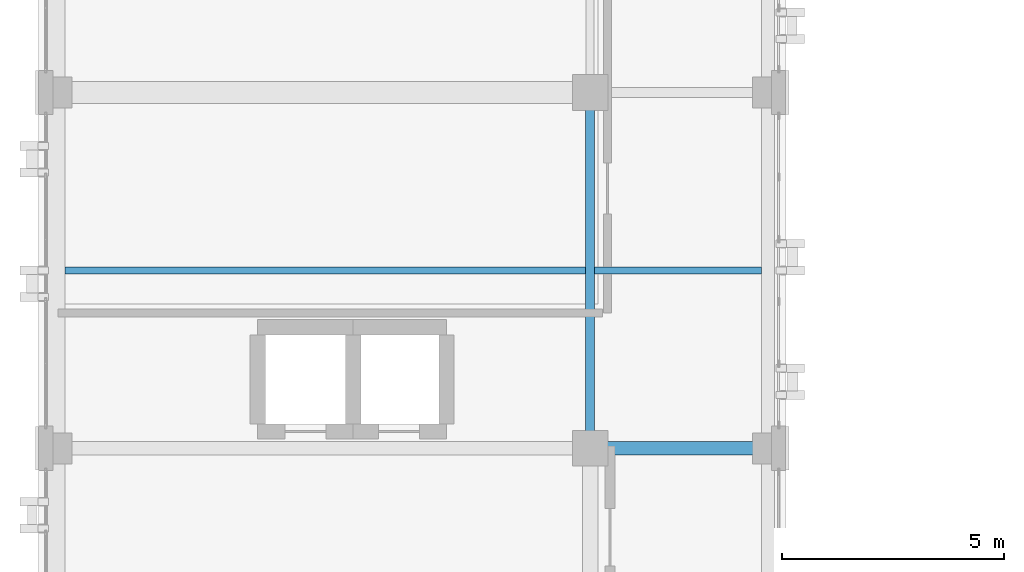
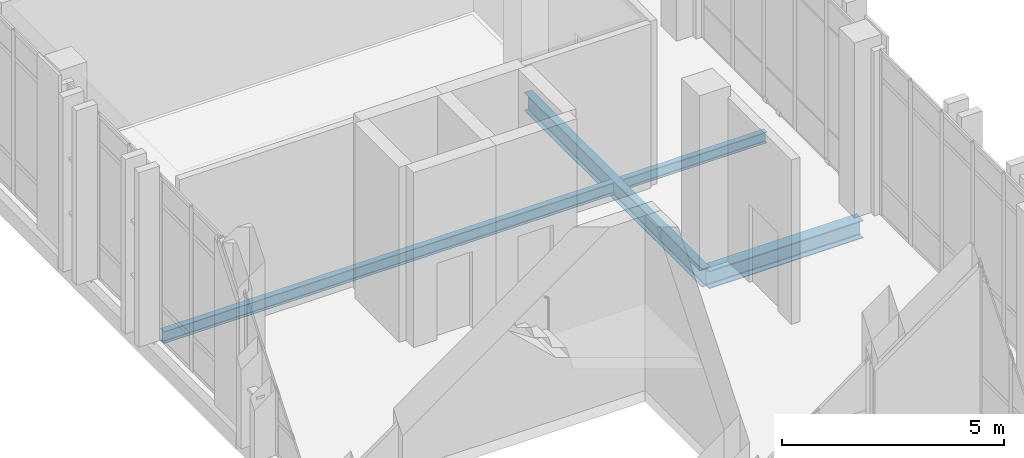
# One storey, part 25 of 189: 4 beams.
"""IFC4 building model written with IfcOpenShell, lengths in metres."""

from ifc_helpers import new_model, si_unit, direction, frame, origin, origin_2d, place, context, subcontext, project, spatial, i_section, extrude, material, material_profile, profile_set, type_object, element, save


model = new_model("IFC4")

# Units and contexts
model_context = context("Model", 3, precision=1e-05, world=origin(), true_north=direction((0.0, 1.0)))
body_context = subcontext(model_context, "Body", "Model", "MODEL_VIEW")
ifc_project = project(units=[si_unit("LENGTHUNIT", "METRE"), si_unit("AREAUNIT", "SQUARE_METRE"), si_unit("VOLUMEUNIT", "CUBIC_METRE"), si_unit("PLANEANGLEUNIT", "RADIAN"), si_unit("MASSUNIT", "GRAM", prefix="KILO")], contexts=[model_context])

# Site, building, storey
site_placement = place(None, origin())
site = spatial("IfcSite", under=ifc_project, at=site_placement, CompositionType="ELEMENT")
building_placement = place(site_placement, origin())
building = spatial("IfcBuilding", under=site, at=building_placement, Name="Qalavern Law Courts", CompositionType="ELEMENT")
storey_placement = place(building_placement, frame((0.0, 0.0, 5.39990234375)))
storey = spatial("IfcBuildingStorey", under=building, at=storey_placement, Name="L01", CompositionType="ELEMENT", Elevation=5.39990234375)

# Beams
ifc_material = material(Name="Steel S355", Category="steel")
ifc_material_profile_1 = material_profile(ifc_material, i_section(OverallWidth=0.300048828125, OverallDepth=0.489990234375, WebThickness=0.011962890625, FlangeThickness=0.02294921875, FilletRadius=0.027099609375, at=origin_2d()), Name="HEA 500")
ifc_profile_set_1 = profile_set([ifc_material_profile_1], Name="Steel S355")
beam_type_1 = type_object("IfcBeamType", Name="STR-BM-HEA500", PredefinedType="BEAM", material=ifc_profile_set_1)
beam_1_placement = place(storey_placement, frame((14.39990234375, 49.39990234375, -0.544921875), z_axis=(1.0, 0.0, 0.0), x_axis=(0.0, 1.0, 0.0)))
element("IfcBeam", 1, at=beam_1_placement, inside=storey, type_object=beam_type_1, Name="V3 X-beam 2-2 L01", PredefinedType="BEAM", context=body_context, shape_type="SweptSolid", body=[
    extrude(i_section(OverallWidth=0.300048828125, OverallDepth=0.489990234375, WebThickness=0.011962890625, FlangeThickness=0.02294921875, FilletRadius=0.027099609375, at=origin_2d()), origin(), (0.0, 0.0, 1.0), 4.0),
])
ifc_material_profile_2 = material_profile(ifc_material, i_section(OverallWidth=0.199951171875, OverallDepth=0.5, WebThickness=0.01025390625, FlangeThickness=0.01611328125, FilletRadius=0.02099609375, at=origin_2d()), Name="IPE 500")
ifc_profile_set_2 = profile_set([ifc_material_profile_2], Name="Steel S355")
beam_type_2 = type_object("IfcBeamType", Name="STR-BM-IPE500", PredefinedType="BEAM", material=ifc_profile_set_2)
beam_2_placement = place(storey_placement, frame((14.39990234375, 49.39990234375, -0.5498046875), z_axis=(0.0, 1.0, 0.0), x_axis=(-1.0, 0.0, 0.0)))
element("IfcBeam", 2, at=beam_2_placement, inside=storey, type_object=beam_type_2, Name="V3 Y-beam 2-2 L01", PredefinedType="BEAM", context=body_context, shape_type="SweptSolid", body=[
    extrude(i_section(OverallWidth=0.199951171875, OverallDepth=0.5, WebThickness=0.01025390625, FlangeThickness=0.01611328125, FilletRadius=0.02099609375, at=origin_2d()), origin(), (0.0, 0.0, 1.0), 8.0),
])
ifc_material_profile_3 = material_profile(ifc_material, i_section(OverallWidth=0.14990234375, OverallDepth=0.300048828125, WebThickness=0.007080078125, FlangeThickness=0.0107421875, FilletRadius=0.014892578125, at=origin_2d()), Name="IPE 300")
ifc_profile_set_3 = profile_set([ifc_material_profile_3], Name="Steel S355")
beam_type_3 = type_object("IfcBeamType", Name="STR-JST-IPE300", PredefinedType="JOIST", material=ifc_profile_set_3)
beam_3_placement = place(storey_placement, frame((14.498046875, 53.39990234375, -0.449951171875), z_axis=(1.0, 0.0, 0.0), x_axis=(0.0, 1.0, 0.0)))
element("IfcBeam", 3, at=beam_3_placement, inside=storey, type_object=beam_type_3, Name="V3 secondary joist 2.2.1 L01", PredefinedType="JOIST", context=body_context, shape_type="SweptSolid", body=[
    extrude(i_section(OverallWidth=0.14990234375, OverallDepth=0.300048828125, WebThickness=0.007080078125, FlangeThickness=0.0107421875, FilletRadius=0.014892578125, at=origin_2d()), origin(), (0.0, 0.0, 1.0), 3.75390625),
])
ifc_material_profile_4 = material_profile(ifc_material, i_section(OverallWidth=0.159912109375, OverallDepth=0.330078125, WebThickness=0.007568359375, FlangeThickness=0.011474609375, FilletRadius=0.01806640625, at=origin_2d()), Name="IPE 330")
ifc_profile_set_4 = profile_set([ifc_material_profile_4], Name="Steel S355")
beam_type_4 = type_object("IfcBeamType", Name="STR-JST-IPE330", PredefinedType="JOIST", material=ifc_profile_set_4)
beam_4_placement = place(storey_placement, frame((2.597900390625, 53.39990234375, -0.46484375), z_axis=(1.0, 0.0, 0.0), x_axis=(0.0, 1.0, 0.0)))
element("IfcBeam", 4, at=beam_4_placement, inside=storey, type_object=beam_type_4, Name="V3 secondary joist 1.2.1 L01", PredefinedType="JOIST", context=body_context, shape_type="SweptSolid", body=[
    extrude(i_section(OverallWidth=0.159912109375, OverallDepth=0.330078125, WebThickness=0.007568359375, FlangeThickness=0.011474609375, FilletRadius=0.01806640625, at=origin_2d()), origin(), (0.0, 0.0, 1.0), 11.7041015625),
])

save(model, "model.ifc")
